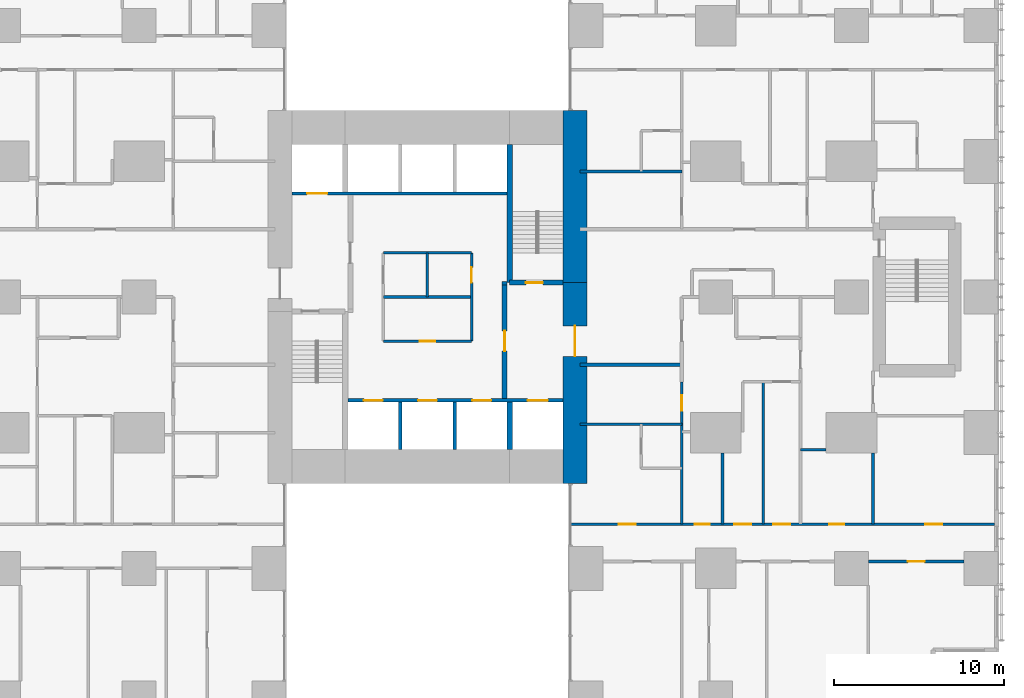
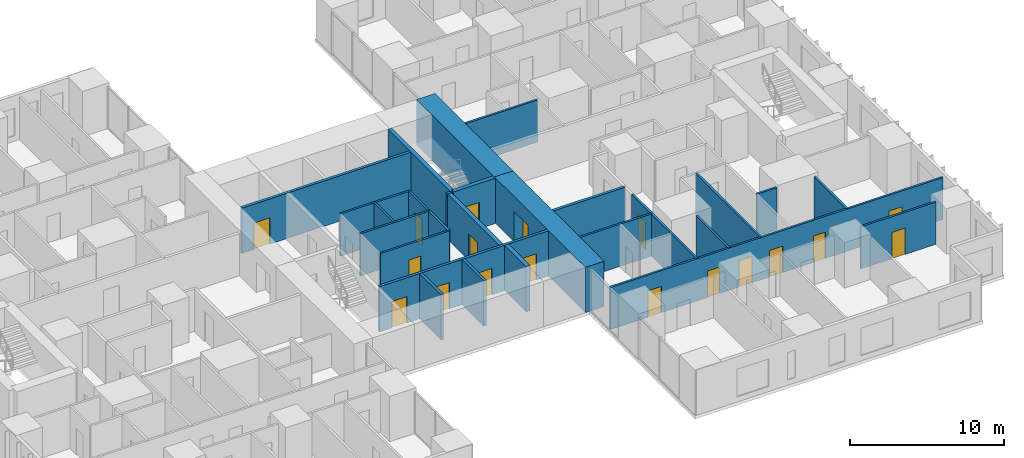
# One storey, part 15 of 20: 26 walls, 18 doors, 18 openings.
"""IFC4 building model written with IfcOpenShell, lengths in metres."""

import ifcopenshell
import ifcopenshell.guid

model = None  # the IFC model being written
_history = None  # IfcOwnerHistory: only IFC2X3 demands one
_inside = {}  # id of a spatial element -> (the spatial element, [elements in it])
_under = {}  # id of a project, library or spatial element -> (it, [spatial elements below it])
_declared = {}  # id of a project -> (the project, [libraries it declares])
_typed = {}  # id of a type object -> (the type object, [elements of that type])
_made_of = {}  # id of a material, layer set ... -> (it, [elements and type objects made of it])


def new_model(schema):
    """Start an empty IFC model of exactly this schema.

    Asked for "IFC4X3", IfcOpenShell would pick the latest addendum, in which some entities
    have other attributes; the version numbers below select the first issue.
    IFC2X3 requires an IfcOwnerHistory on every rooted entity: one is made here for all.
    """
    global model, _history
    if schema == "IFC4X3":
        model = ifcopenshell.file(schema_version=(4, 3, 0, 0))
    else:
        model = ifcopenshell.file(schema=schema)
    _inside.clear()
    _under.clear()
    _declared.clear()
    _typed.clear()
    _made_of.clear()
    _history = None
    if model.schema == "IFC2X3":
        org = make("IfcOrganization", Name="unknown")
        user = make(
            "IfcPersonAndOrganization",
            ThePerson=make("IfcPerson", FamilyName="unknown"),
            TheOrganization=org,
        )
        app = make(
            "IfcApplication",
            ApplicationDeveloper=org,
            Version="unknown",
            ApplicationFullName="unknown",
            ApplicationIdentifier="unknown",
        )
        _history = make(
            "IfcOwnerHistory",
            OwningUser=user,
            OwningApplication=app,
            ChangeAction="ADDED",
            CreationDate=0,
        )
    return model


def make(cls, **values):
    """One entity of the class cls with the attributes given. An attribute that is None is left unset."""
    return model.create_entity(
        cls, **{name: value for name, value in values.items() if value is not None}
    )


def rooted(cls, **values):
    """An entity with a GlobalId (a new one), such as an element, a storey or a relation."""
    return make(cls, GlobalId=ifcopenshell.guid.new(), OwnerHistory=_history, **values)


def si_unit(unit_type, name, prefix=None):
    """IfcSIUnit, for example si_unit("LENGTHUNIT", "METRE", prefix="MILLI")."""
    return make("IfcSIUnit", UnitType=unit_type, Prefix=prefix, Name=name)


def assignment(units):
    """IfcUnitAssignment: the units of a project."""
    return None if units is None else make("IfcUnitAssignment", Units=units)


def point(xyz):
    """IfcCartesianPoint."""
    return None if xyz is None else make("IfcCartesianPoint", Coordinates=xyz)


def direction(xyz):
    """IfcDirection."""
    return None if xyz is None else make("IfcDirection", DirectionRatios=xyz)


def frame(location, z_axis=None, x_axis=None):
    """IfcAxis2Placement3D, a coordinate frame: its origin and axes. An axis left out is left unset."""
    return make(
        "IfcAxis2Placement3D",
        Location=point(location),
        Axis=direction(z_axis),
        RefDirection=direction(x_axis),
    )


def frame_2d(location, x_axis=None):
    """IfcAxis2Placement2D, a coordinate frame in the plane: its origin and x axis."""
    return make(
        "IfcAxis2Placement2D", Location=point(location), RefDirection=direction(x_axis)
    )


def origin():
    """The frame at (0, 0, 0) with its axes left unset."""
    return frame((0.0, 0.0, 0.0))


def place(relative_to, where):
    """IfcLocalPlacement: puts the frame where relative to a parent placement (None: the world)."""
    return make(
        "IfcLocalPlacement", PlacementRelTo=relative_to, RelativePlacement=where
    )


def context(
    kind, dimensions, precision=None, world=None, true_north=None, identifier=None
):
    """IfcGeometricRepresentationContext, for example the 3D "Model" context."""
    return make(
        "IfcGeometricRepresentationContext",
        ContextIdentifier=identifier,
        ContextType=kind,
        CoordinateSpaceDimension=dimensions,
        Precision=precision,
        WorldCoordinateSystem=world,
        TrueNorth=true_north,
    )


def subcontext(parent, identifier, kind, view, scale=None):
    """IfcGeometricRepresentationSubContext, for example "Body" below "Model"."""
    return make(
        "IfcGeometricRepresentationSubContext",
        ContextIdentifier=identifier,
        ContextType=kind,
        ParentContext=parent,
        TargetScale=scale,
        TargetView=view,
    )


def project(units=None, contexts=None):
    """IfcProject with its units and contexts."""
    return rooted(
        "IfcProject",
        Name="project",
        RepresentationContexts=contexts,
        UnitsInContext=assignment(units),
    )


def spatial(cls, under=None, at=None, **own):
    """A site, building, storey or space (cls), placed at a placement, below another one or the project."""
    s = rooted(cls, ObjectPlacement=at, **own)
    if under is not None:
        _under.setdefault(under.id(), (under, []))[1].append(s)
    return s


def profile(cls, at=None, kind="AREA", **sizes):
    """A parametric profile (cls). Its sizes go by their IFC names, for example OverallWidth=200.0."""
    return make(cls, ProfileType=kind, Position=at, **sizes)


def rectangle(**sizes):
    """IfcRectangleProfileDef."""
    return profile("IfcRectangleProfileDef", **sizes)


def extrude(swept, where, along, depth):
    """IfcExtrudedAreaSolid: the profile swept, set in the frame where, extruded along a direction by depth."""
    return make(
        "IfcExtrudedAreaSolid",
        SweptArea=swept,
        Position=where,
        ExtrudedDirection=direction(along),
        Depth=depth,
    )


def shape(context_of_items, identifier, shape_type, items):
    """IfcShapeRepresentation: the items that make up one representation, for example the "Body"."""
    return make(
        "IfcShapeRepresentation",
        ContextOfItems=context_of_items,
        RepresentationIdentifier=identifier,
        RepresentationType=shape_type,
        Items=items,
    )


def material(Name=None, Category=None):
    """IfcMaterial."""
    return make("IfcMaterial", Name=Name, Category=Category)


def layer(
    of_material, thickness, ventilated=None, Name=None, Category=None, Priority=None
):
    """IfcMaterialLayer: one layer of a wall or slab, of a material (None: an air gap)."""
    return make(
        "IfcMaterialLayer",
        Material=of_material,
        LayerThickness=thickness,
        IsVentilated=ventilated,
        Name=Name,
        Category=Category,
        Priority=Priority,
    )


def layer_set(layers, Name=None):
    """IfcMaterialLayerSet."""
    return make("IfcMaterialLayerSet", MaterialLayers=layers, LayerSetName=Name)


def made_of(thing, what):
    """Note that an element or type object is made of a material, layer set ...; save() writes the relation."""
    if what is not None:
        _made_of.setdefault(what.id(), (what, []))[1].append(thing)
    return thing


def type_object(cls, material=None, **own):
    """A type object (cls), such as IfcWallType, which elements share."""
    return made_of(rooted(cls, **own), material)


def element(
    cls,
    number,
    at=None,
    inside=None,
    cuts=None,
    type_object=None,
    material=None,
    context=None,
    identifier="Body",
    shape_type=None,
    held_by="IfcProductDefinitionShape",
    body=None,
    shapes=None,
    **own,
):
    """One element of the class cls, such as IfcWall. Its Tag is "e" and its number.

    at: its placement. inside: the storey or other place that contains it. cuts: it is an
    opening in that element (IfcRelVoidsElement). A single representation is given by context,
    identifier, shape_type and body (its items); several are given by shapes. held_by: the class
    of the entity that holds the representations. save() writes the other relations.
    """
    e = rooted(cls, Tag="e%d" % number, ObjectPlacement=at, **own)
    if body is not None:
        shapes = [shape(context, identifier, shape_type, body)]
    if shapes is not None:
        e.Representation = make(held_by, Representations=shapes)
    if inside is not None:
        _inside.setdefault(inside.id(), (inside, []))[1].append(e)
    if cuts is not None:
        rooted(
            "IfcRelVoidsElement", RelatingBuildingElement=cuts, RelatedOpeningElement=e
        )
    if type_object is not None:
        _typed.setdefault(type_object.id(), (type_object, []))[1].append(e)
    return made_of(e, material)


def fill(opening, filler):
    """IfcRelFillsElement: the door or window that sits in an opening."""
    return rooted(
        "IfcRelFillsElement",
        RelatingOpeningElement=opening,
        RelatedBuildingElement=filler,
    )


def aggregate(whole, parts):
    """IfcRelAggregates: a whole, such as a stair, and the parts it consists of."""
    return rooted("IfcRelAggregates", RelatingObject=whole, RelatedObjects=parts)


def save(model, path):
    """Write the relations noted so far, then the file.

    IfcRelAggregates (storeys below a building ...), IfcRelContainedInSpatialStructure (elements
    in a storey), IfcRelDefinesByType, IfcRelAssociatesMaterial and IfcRelDeclares: one each for
    every whole, place, type object, material and project.
    """
    for whole, parts in _under.values():
        aggregate(whole, parts)
    for where, things in _inside.values():
        rooted(
            "IfcRelContainedInSpatialStructure",
            RelatedElements=things,
            RelatingStructure=where,
        )
    for kind, things in _typed.values():
        rooted("IfcRelDefinesByType", RelatedObjects=things, RelatingType=kind)
    for what, things in _made_of.values():
        rooted("IfcRelAssociatesMaterial", RelatedObjects=things, RelatingMaterial=what)
    for by, libraries in _declared.values():
        rooted("IfcRelDeclares", RelatingContext=by, RelatedDefinitions=libraries)
    model.write(path)


model = new_model("IFC4")

# Units and contexts
model_context = context("Model", 3, precision=1e-05, world=origin(), true_north=direction((0.0, 1.0)))
body_context = subcontext(model_context, "Body", "Model", "MODEL_VIEW")
ifc_project = project(units=[si_unit("LENGTHUNIT", "METRE"), si_unit("AREAUNIT", "SQUARE_METRE"), si_unit("VOLUMEUNIT", "CUBIC_METRE"), si_unit("PLANEANGLEUNIT", "RADIAN"), si_unit("MASSUNIT", "GRAM", prefix="KILO")], contexts=[model_context])

# Site, building, storey
site_placement = place(None, origin())
site = spatial("IfcSite", under=ifc_project, at=site_placement, CompositionType="ELEMENT")
building_placement = place(site_placement, origin())
building = spatial("IfcBuilding", under=site, at=building_placement, Name="Cleftline Residences", CompositionType="ELEMENT")
storey_placement = place(building_placement, frame((0.0, 0.0, 135.800048828125)))
storey = spatial("IfcBuildingStorey", under=building, at=storey_placement, Name="L35", CompositionType="ELEMENT", Elevation=135.800048828125)

# Wall, opening, door
ifc_material_1 = material(Name="Concrete B70", Category="concrete")
ifc_layer_1 = layer(ifc_material_1, 1.39990234375)
ifc_layer_set_1 = layer_set([ifc_layer_1], Name="CORE WALL 1400")
wall_type_1 = type_object("IfcWallType", Name="CORE WALL 1400", PredefinedType="SHEAR", material=ifc_layer_set_1)
wall_1_placement = place(storey_placement, frame((41.699951171875, 13.0, 0.0), z_axis=(0.0, 0.0, 1.0), x_axis=(0.0, 1.0, 0.0)))
wall_1 = element("IfcWall", 1, at=wall_1_placement, inside=storey, type_object=wall_type_1, Name="Core wall E", PredefinedType="SHEAR", context=body_context, shape_type="SweptSolid", body=[
    extrude(rectangle(XDim=11.85009765625, YDim=1.39990234375, at=frame_2d((5.925048828125, 0.0))), origin(), (0.0, 0.0, 1.0), 3.599853515625),
])
opening_1_placement = place(wall_1_placement, frame((7.5, 0.0, 0.0)))
opening_1 = element("IfcOpeningElement", 2, at=opening_1_placement, cuts=wall_1, Name="Opening D7", PredefinedType="OPENING", context=body_context, shape_type="SweptSolid", body=[
    extrude(rectangle(XDim=1.800048828125, YDim=2.39990234375, at=frame_2d((0.89990234375, 1.199951171875))), frame((0.0, 0.7099609375, 0.0), z_axis=(0.0, -1.0, 0.0), x_axis=(1.0, 0.0, 0.0)), (0.0, 0.0, 1.0), 1.419921875),
])
ifc_material_2 = material(Name="Steel", Category="steel")
door_type_1 = type_object("IfcDoorType", Name="WING DOOR 1800X2400", OperationType="DOUBLE_DOOR_DOUBLE_SWING", PredefinedType="DOOR", material=ifc_material_2)
door_1_placement = place(opening_1_placement, origin())
door_1 = element("IfcDoor", 3, at=door_1_placement, inside=storey, type_object=door_type_1, Name="East wing door", OperationType="DOUBLE_DOOR_DOUBLE_SWING", OverallHeight=2.39990234375, OverallWidth=1.800048828125, PredefinedType="DOOR", context=body_context, shape_type="SweptSolid", body=[
    extrude(rectangle(XDim=1.800048828125, YDim=2.39990234375, at=frame_2d((0.89990234375, 1.199951171875))), frame((0.0, 0.02490234375, 0.0), z_axis=(0.0, -1.0, 0.0), x_axis=(1.0, 0.0, 0.0)), (0.0, 0.0, 1.0), 0.050048828125),
])
fill(opening_1, door_1)

# Walls
wall_2_placement = place(storey_placement, frame((41.699951171875, 24.85009765625, 0.0), z_axis=(0.0, 0.0, 1.0), x_axis=(0.0, 1.0, 0.0)))
element("IfcWall", 4, at=wall_2_placement, inside=storey, type_object=wall_type_1, Name="Core wall E1", PredefinedType="SHEAR", context=body_context, shape_type="SweptSolid", body=[
    extrude(rectangle(XDim=10.14990234375, YDim=1.39990234375, at=frame_2d((5.074951171875, 0.0))), origin(), (0.0, 0.0, 1.0), 3.599853515625),
])
ifc_material_3 = material(Name="Concrete B70", Category="concrete")
ifc_layer_2 = layer(ifc_material_3, 0.300048828125)
ifc_layer_set_2 = layer_set([ifc_layer_2], Name="CORE WALL 300")
wall_type_2 = type_object("IfcWallType", Name="CORE WALL 300", PredefinedType="SHEAR", material=ifc_layer_set_2)
wall_3_placement = place(storey_placement, frame((37.85009765625, 24.85009765625, 0.0), z_axis=(0.0, 0.0, 1.0), x_axis=(0.0, 1.0, 0.0)))
element("IfcWall", 5, at=wall_3_placement, inside=storey, type_object=wall_type_2, Name="Core wall SB-W", PredefinedType="SHEAR", context=body_context, shape_type="SweptSolid", body=[
    extrude(rectangle(XDim=8.14990234375, YDim=0.300048828125, at=frame_2d((4.074951171875, 0.0))), origin(), (0.0, 0.0, 1.0), 3.599853515625),
])

# Wall, opening, door
wall_4_placement = place(storey_placement, frame((37.85009765625, 24.85009765625, 0.0), z_axis=(0.0, 0.0, 1.0), x_axis=(1.0, 0.0, 0.0)))
wall_4 = element("IfcWall", 6, at=wall_4_placement, inside=storey, type_object=wall_type_2, Name="Core wall SB-S", PredefinedType="SHEAR", context=body_context, shape_type="SweptSolid", body=[
    extrude(rectangle(XDim=3.14990234375, YDim=0.300048828125, at=frame_2d((1.574951171875, 0.0))), origin(), (0.0, 0.0, 1.0), 3.599853515625),
])
opening_2_placement = place(wall_4_placement, frame((0.949951171875, 0.0, 0.0)))
opening_2 = element("IfcOpeningElement", 7, at=opening_2_placement, cuts=wall_4, Name="Opening D5", PredefinedType="OPENING", context=body_context, shape_type="SweptSolid", body=[
    extrude(rectangle(XDim=1.0, YDim=2.10009765625, at=frame_2d((0.5, 1.050048828125))), frame((0.0, 0.159912109375, 0.0), z_axis=(0.0, -1.0, 0.0), x_axis=(1.0, 0.0, 0.0)), (0.0, 0.0, 1.0), 0.320068359375),
])
ifc_material_4 = material(Name="Steel", Category="steel")
door_type_2 = type_object("IfcDoorType", Name="STAIR DOOR 1000X2100", OperationType="SINGLE_SWING_LEFT", PredefinedType="DOOR", material=ifc_material_4)
door_2_placement = place(opening_2_placement, origin())
door_2 = element("IfcDoor", 8, at=door_2_placement, inside=storey, type_object=door_type_2, Name="Stair B door", OperationType="SINGLE_SWING_RIGHT", OverallHeight=2.10009765625, OverallWidth=1.0, PredefinedType="DOOR", context=body_context, shape_type="SweptSolid", body=[
    extrude(rectangle(XDim=1.0, YDim=2.10009765625, at=frame_2d((0.5, 1.050048828125))), frame((0.0, 0.02490234375, 0.0), z_axis=(0.0, -1.0, 0.0), x_axis=(1.0, 0.0, 0.0)), (0.0, 0.0, 1.0), 0.050048828125),
])
fill(opening_2, door_2)

# Walls
wall_5_placement = place(storey_placement, frame((37.85009765625, 15.0, 0.0), z_axis=(0.0, 0.0, 1.0), x_axis=(0.0, 1.0, 0.0)))
element("IfcWall", 9, at=wall_5_placement, inside=storey, type_object=wall_type_2, Name="Lift shaft wall", PredefinedType="SHEAR", context=body_context, shape_type="SweptSolid", body=[
    extrude(rectangle(XDim=2.800048828125, YDim=0.300048828125, at=frame_2d((1.39990234375, 0.0))), origin(), (0.0, 0.0, 1.0), 3.599853515625),
])
ifc_material_5 = material(Name="Concrete blockwork, fire rated", Category="masonry")
ifc_layer_3 = layer(ifc_material_5, 0.199951171875)
ifc_layer_set_3 = layer_set([ifc_layer_3], Name="FIRE WALL 200")
wall_type_3 = type_object("IfcWallType", Name="FIRE WALL 200", PredefinedType="PARTITIONING", material=ifc_layer_set_3)
wall_6_placement = place(storey_placement, frame((42.0, 20.0, 0.0), z_axis=(0.0, 0.0, 1.0), x_axis=(1.0, 0.0, 0.0)))
element("IfcWall", 10, at=wall_6_placement, inside=storey, type_object=wall_type_3, Name="Fire separating wall", PredefinedType="PARTITIONING", context=body_context, shape_type="SweptSolid", body=[
    extrude(rectangle(XDim=6.0, YDim=0.199951171875, at=frame_2d((3.0, 0.0))), origin(), (0.0, 0.0, 1.0), 3.349853515625),
])
wall_7_placement = place(storey_placement, frame((37.39990234375, 24.800048828125, 0.0), z_axis=(0.0, 0.0, 1.0), x_axis=(1.0, 0.0, 0.0)))
element("IfcWall", 11, at=wall_7_placement, inside=storey, type_object=wall_type_3, Name="Fire separating wall", PredefinedType="PARTITIONING", context=body_context, shape_type="SweptSolid", body=[
    extrude(rectangle(XDim=0.300048828125, YDim=0.199951171875, at=frame_2d((0.14990234375, 0.0))), origin(), (0.0, 0.0, 1.0), 3.599853515625),
])

# Wall, opening, door
ifc_material_6 = material(Name="Gypsum board on steel studs", Category="steel")
ifc_layer_4 = layer(ifc_material_6, 0.14990234375)
ifc_layer_set_4 = layer_set([ifc_layer_4], Name="PARTITION 150")
wall_type_4 = type_object("IfcWallType", Name="PARTITION 150", PredefinedType="PARTITIONING", material=ifc_layer_set_4)
wall_8_placement = place(storey_placement, frame((59.0, 8.39990234375, 0.0), z_axis=(0.0, 0.0, 1.0), x_axis=(1.0, 0.0, 0.0)))
wall_8 = element("IfcWall", 12, at=wall_8_placement, inside=storey, type_object=wall_type_4, Name="Partition", PredefinedType="PARTITIONING", context=body_context, shape_type="SweptSolid", body=[
    extrude(rectangle(XDim=5.64990234375, YDim=0.14990234375, at=frame_2d((2.824951171875, 0.0))), origin(), (0.0, 0.0, 1.0), 3.349853515625),
])
opening_3_placement = place(wall_8_placement, frame((2.324951171875, 0.0, 0.0)))
opening_3 = element("IfcOpeningElement", 13, at=opening_3_placement, cuts=wall_8, Name="Opening D2", PredefinedType="OPENING", context=body_context, shape_type="SweptSolid", body=[
    extrude(rectangle(XDim=1.0, YDim=2.10009765625, at=frame_2d((0.5, 1.050048828125))), frame((0.0, 0.0849609375, 0.0), z_axis=(0.0, -1.0, 0.0), x_axis=(1.0, 0.0, 0.0)), (0.0, 0.0, 1.0), 0.169921875),
])
ifc_material_7 = material(Name="Timber veneer on solid core", Category="wood")
door_type_3 = type_object("IfcDoorType", Name="DOOR 1000X2100", OperationType="SINGLE_SWING_LEFT", PredefinedType="DOOR", material=ifc_material_7)
door_3_placement = place(opening_3_placement, origin())
door_3 = element("IfcDoor", 14, at=door_3_placement, inside=storey, type_object=door_type_3, Name="Door to music room", OperationType="SINGLE_SWING_LEFT", OverallHeight=2.10009765625, OverallWidth=1.0, PredefinedType="DOOR", context=body_context, shape_type="SweptSolid", body=[
    extrude(rectangle(XDim=1.0, YDim=2.10009765625, at=frame_2d((0.5, 1.050048828125))), frame((0.0, 0.02490234375, 0.0), z_axis=(0.0, -1.0, 0.0), x_axis=(1.0, 0.0, 0.0)), (0.0, 0.0, 1.0), 0.050048828125),
])
fill(opening_3, door_3)

# Wall, openings, doors
wall_9_placement = place(storey_placement, frame((41.43896484375, 10.60009765625, 0.0), z_axis=(0.0, 0.0, 1.0), x_axis=(1.0, 0.0, 0.0)))
wall_9 = element("IfcWall", 15, at=wall_9_placement, inside=storey, type_object=wall_type_4, Name="Partition", PredefinedType="PARTITIONING", context=body_context, shape_type="SweptSolid", body=[
    extrude(rectangle(XDim=25.010986328125, YDim=0.14990234375, at=frame_2d((12.50537109375, 0.0))), origin(), (0.0, 0.0, 1.0), 3.349853515625),
])
opening_4_placement = place(wall_9_placement, frame((11.9609375, 0.0, 0.0)))
opening_4 = element("IfcOpeningElement", 16, at=opening_4_placement, cuts=wall_9, Name="Opening D2", PredefinedType="OPENING", context=body_context, shape_type="SweptSolid", body=[
    extrude(rectangle(XDim=1.0, YDim=2.10009765625, at=frame_2d((0.5, 1.050048828125))), frame((0.0, 0.0849609375, 0.0), z_axis=(0.0, -1.0, 0.0), x_axis=(1.0, 0.0, 0.0)), (0.0, 0.0, 1.0), 0.169921875),
])
opening_5_placement = place(wall_9_placement, frame((20.923583984375, 0.0, 0.0)))
opening_5 = element("IfcOpeningElement", 17, at=opening_5_placement, cuts=wall_9, Name="Opening D2", PredefinedType="OPENING", context=body_context, shape_type="SweptSolid", body=[
    extrude(rectangle(XDim=1.0, YDim=2.10009765625, at=frame_2d((0.5, 1.050048828125))), frame((0.0, 0.0849609375, 0.0), z_axis=(0.0, -1.0, 0.0), x_axis=(1.0, 0.0, 0.0)), (0.0, 0.0, 1.0), 0.169921875),
])
opening_6_placement = place(wall_9_placement, frame((15.24853515625, 0.0, 0.0)))
opening_6 = element("IfcOpeningElement", 18, at=opening_6_placement, cuts=wall_9, Name="Opening D1", PredefinedType="OPENING", context=body_context, shape_type="SweptSolid", body=[
    extrude(rectangle(XDim=0.89990234375, YDim=2.10009765625, at=frame_2d((0.449951171875, 1.050048828125))), frame((0.0, 0.0849609375, 0.0), z_axis=(0.0, -1.0, 0.0), x_axis=(1.0, 0.0, 0.0)), (0.0, 0.0, 1.0), 0.169921875),
])
opening_7_placement = place(wall_9_placement, frame((9.660888671875, 0.0, 0.0)))
opening_7 = element("IfcOpeningElement", 19, at=opening_7_placement, cuts=wall_9, Name="Opening D2", PredefinedType="OPENING", context=body_context, shape_type="SweptSolid", body=[
    extrude(rectangle(XDim=1.0, YDim=2.10009765625, at=frame_2d((0.5, 1.050048828125))), frame((0.0, 0.0849609375, 0.0), z_axis=(0.0, -1.0, 0.0), x_axis=(1.0, 0.0, 0.0)), (0.0, 0.0, 1.0), 0.169921875),
])
opening_8_placement = place(wall_9_placement, frame((7.31103515625, 0.0, 0.0)))
opening_8 = element("IfcOpeningElement", 20, at=opening_8_placement, cuts=wall_9, Name="Opening D1", PredefinedType="OPENING", context=body_context, shape_type="SweptSolid", body=[
    extrude(rectangle(XDim=0.89990234375, YDim=2.10009765625, at=frame_2d((0.449951171875, 1.050048828125))), frame((0.0, 0.0849609375, 0.0), z_axis=(0.0, -1.0, 0.0), x_axis=(1.0, 0.0, 0.0)), (0.0, 0.0, 1.0), 0.169921875),
])
opening_9_placement = place(wall_9_placement, frame((2.8359375, 0.0, 0.0)))
opening_9 = element("IfcOpeningElement", 21, at=opening_9_placement, cuts=wall_9, Name="Opening D2", PredefinedType="OPENING", context=body_context, shape_type="SweptSolid", body=[
    extrude(rectangle(XDim=1.0, YDim=2.10009765625, at=frame_2d((0.5, 1.050048828125))), frame((0.0, 0.0849609375, 0.0), z_axis=(0.0, -1.0, 0.0), x_axis=(1.0, 0.0, 0.0)), (0.0, 0.0, 1.0), 0.169921875),
])
door_4_placement = place(opening_4_placement, origin())
door_4 = element("IfcDoor", 22, at=door_4_placement, inside=storey, type_object=door_type_3, Name="Door to residence hall", OperationType="SINGLE_SWING_RIGHT", OverallHeight=2.10009765625, OverallWidth=1.0, PredefinedType="DOOR", context=body_context, shape_type="SweptSolid", body=[
    extrude(rectangle(XDim=1.0, YDim=2.10009765625, at=frame_2d((0.5, 1.050048828125))), frame((0.0, 0.02490234375, 0.0), z_axis=(0.0, -1.0, 0.0), x_axis=(1.0, 0.0, 0.0)), (0.0, 0.0, 1.0), 0.050048828125),
])
fill(opening_4, door_4)
door_5_placement = place(opening_5_placement, origin())
door_5 = element("IfcDoor", 23, at=door_5_placement, inside=storey, type_object=door_type_3, Name="Door to sea-view great room", OperationType="SINGLE_SWING_LEFT", OverallHeight=2.10009765625, OverallWidth=1.0, PredefinedType="DOOR", context=body_context, shape_type="SweptSolid", body=[
    extrude(rectangle(XDim=1.0, YDim=2.10009765625, at=frame_2d((0.5, 1.050048828125))), frame((0.0, 0.02490234375, 0.0), z_axis=(0.0, -1.0, 0.0), x_axis=(1.0, 0.0, 0.0)), (0.0, 0.0, 1.0), 0.050048828125),
])
fill(opening_5, door_5)
door_6_placement = place(opening_7_placement, origin())
door_6 = element("IfcDoor", 24, at=door_6_placement, inside=storey, type_object=door_type_3, Name="Door to wet kitchen", OperationType="SINGLE_SWING_RIGHT", OverallHeight=2.10009765625, OverallWidth=1.0, PredefinedType="DOOR", context=body_context, shape_type="SweptSolid", body=[
    extrude(rectangle(XDim=1.0, YDim=2.10009765625, at=frame_2d((0.5, 1.050048828125))), frame((0.0, 0.02490234375, 0.0), z_axis=(0.0, -1.0, 0.0), x_axis=(1.0, 0.0, 0.0)), (0.0, 0.0, 1.0), 0.050048828125),
])
fill(opening_7, door_6)
door_7_placement = place(opening_9_placement, origin())
door_7 = element("IfcDoor", 25, at=door_7_placement, inside=storey, type_object=door_type_3, Name="Door to staff bedroom", OperationType="SINGLE_SWING_RIGHT", OverallHeight=2.10009765625, OverallWidth=1.0, PredefinedType="DOOR", context=body_context, shape_type="SweptSolid", body=[
    extrude(rectangle(XDim=1.0, YDim=2.10009765625, at=frame_2d((0.5, 1.050048828125))), frame((0.0, 0.02490234375, 0.0), z_axis=(0.0, -1.0, 0.0), x_axis=(1.0, 0.0, 0.0)), (0.0, 0.0, 1.0), 0.050048828125),
])
fill(opening_9, door_7)
ifc_material_8 = material(Name="Timber veneer on solid core", Category="wood")
door_type_4 = type_object("IfcDoorType", Name="DOOR 900X2100", OperationType="SINGLE_SWING_LEFT", PredefinedType="DOOR", material=ifc_material_8)
door_8_placement = place(opening_6_placement, origin())
door_8 = element("IfcDoor", 26, at=door_8_placement, inside=storey, type_object=door_type_4, Name="Door to wine room", OperationType="SINGLE_SWING_LEFT", OverallHeight=2.10009765625, OverallWidth=0.89990234375, PredefinedType="DOOR", context=body_context, shape_type="SweptSolid", body=[
    extrude(rectangle(XDim=0.89990234375, YDim=2.10009765625, at=frame_2d((0.449951171875, 1.050048828125))), frame((0.0, 0.02490234375, 0.0), z_axis=(0.0, -1.0, 0.0), x_axis=(1.0, 0.0, 0.0)), (0.0, 0.0, 1.0), 0.050048828125),
])
fill(opening_6, door_8)
door_9_placement = place(opening_8_placement, origin())
door_9 = element("IfcDoor", 27, at=door_9_placement, inside=storey, type_object=door_type_4, Name="Door to pantry", OperationType="SINGLE_SWING_RIGHT", OverallHeight=2.10009765625, OverallWidth=0.89990234375, PredefinedType="DOOR", context=body_context, shape_type="SweptSolid", body=[
    extrude(rectangle(XDim=0.89990234375, YDim=2.10009765625, at=frame_2d((0.449951171875, 1.050048828125))), frame((0.0, 0.02490234375, 0.0), z_axis=(0.0, -1.0, 0.0), x_axis=(1.0, 0.0, 0.0)), (0.0, 0.0, 1.0), 0.050048828125),
])
fill(opening_8, door_9)

# Walls
wall_10_placement = place(storey_placement, frame((55.0, 15.0, 0.0), z_axis=(0.0, 0.0, 1.0), x_axis=(1.0, 0.0, 0.0)))
element("IfcWall", 28, at=wall_10_placement, inside=storey, type_object=wall_type_4, Name="Partition", PredefinedType="PARTITIONING", context=body_context, shape_type="SweptSolid", body=[
    extrude(rectangle(XDim=1.5, YDim=0.14990234375, at=frame_2d((0.75, 0.0))), origin(), (0.0, 0.0, 1.0), 3.349853515625),
])
for number, where, z_axis, x_axis, name in (
    (29, (42.0, 16.5, 0.0), (0.0, 0.0, 1.0), (1.0, 0.0, 0.0), "Partition"),
    (30, (42.0, 31.39990234375, 0.0), (0.0, 0.0, 1.0), (1.0, 0.0, 0.0), "Partition"),
):
    element("IfcWall", number, at=place(storey_placement, frame(where, z_axis=z_axis, x_axis=x_axis)), inside=storey, type_object=wall_type_4, Name=name, PredefinedType="PARTITIONING", context=body_context, shape_type="SweptSolid", body=[
        extrude(rectangle(XDim=6.0, YDim=0.14990234375, at=frame_2d((3.0, 0.0))), origin(), (0.0, 0.0, 1.0), 3.349853515625),
    ])

# Wall, opening, door
wall_11_placement = place(storey_placement, frame((48.0, 10.60009765625, 0.0), z_axis=(0.0, 0.0, 1.0), x_axis=(0.0, 1.0, 0.0)))
wall_11 = element("IfcWall", 31, at=wall_11_placement, inside=storey, type_object=wall_type_4, Name="Partition", PredefinedType="PARTITIONING", context=body_context, shape_type="SweptSolid", body=[
    extrude(rectangle(XDim=8.39990234375, YDim=0.14990234375, at=frame_2d((4.199951171875, 0.0))), origin(), (0.0, 0.0, 1.0), 3.349853515625),
])
opening_10_placement = place(wall_11_placement, frame((6.699951171875, 0.0, 0.0)))
opening_10 = element("IfcOpeningElement", 32, at=opening_10_placement, cuts=wall_11, Name="Opening D1", PredefinedType="OPENING", context=body_context, shape_type="SweptSolid", body=[
    extrude(rectangle(XDim=0.89990234375, YDim=2.10009765625, at=frame_2d((0.449951171875, 1.050048828125))), frame((0.0, 0.0849609375, 0.0), z_axis=(0.0, -1.0, 0.0), x_axis=(1.0, 0.0, 0.0)), (0.0, 0.0, 1.0), 0.169921875),
])
door_10_placement = place(opening_10_placement, origin())
door_10 = element("IfcDoor", 33, at=door_10_placement, inside=storey, type_object=door_type_4, Name="Door to drying loggia", OperationType="SINGLE_SWING_LEFT", OverallHeight=2.10009765625, OverallWidth=0.89990234375, PredefinedType="DOOR", context=body_context, shape_type="SweptSolid", body=[
    extrude(rectangle(XDim=0.89990234375, YDim=2.10009765625, at=frame_2d((0.449951171875, 1.050048828125))), frame((0.0, 0.02490234375, 0.0), z_axis=(0.0, -1.0, 0.0), x_axis=(1.0, 0.0, 0.0)), (0.0, 0.0, 1.0), 0.050048828125),
])
fill(opening_10, door_10)

# Walls
wall_12_placement = place(storey_placement, frame((50.39990234375, 10.60009765625, 0.0), z_axis=(0.0, 0.0, 1.0), x_axis=(0.0, 1.0, 0.0)))
element("IfcWall", 34, at=wall_12_placement, inside=storey, type_object=wall_type_4, Name="Partition", PredefinedType="PARTITIONING", context=body_context, shape_type="SweptSolid", body=[
    extrude(rectangle(XDim=4.199951171875, YDim=0.14990234375, at=frame_2d((2.10009765625, 0.0))), origin(), (0.0, 0.0, 1.0), 3.349853515625),
])
wall_13_placement = place(storey_placement, frame((52.800048828125, 10.60009765625, 0.0), z_axis=(0.0, 0.0, 1.0), x_axis=(0.0, 1.0, 0.0)))
element("IfcWall", 35, at=wall_13_placement, inside=storey, type_object=wall_type_4, Name="Partition", PredefinedType="PARTITIONING", context=body_context, shape_type="SweptSolid", body=[
    extrude(rectangle(XDim=8.39990234375, YDim=0.14990234375, at=frame_2d((4.199951171875, 0.0))), origin(), (0.0, 0.0, 1.0), 3.349853515625),
])
wall_14_placement = place(storey_placement, frame((59.27490234375, 10.60009765625, 0.0), z_axis=(0.0, 0.0, 1.0), x_axis=(0.0, 1.0, 0.0)))
element("IfcWall", 36, at=wall_14_placement, inside=storey, type_object=wall_type_4, Name="Partition", PredefinedType="PARTITIONING", context=body_context, shape_type="SweptSolid", body=[
    extrude(rectangle(XDim=4.199951171875, YDim=0.14990234375, at=frame_2d((2.10009765625, 0.0))), origin(), (0.0, 0.0, 1.0), 3.349853515625),
])

# Wall, opening, door
ifc_material_9 = material(Name="Fire-resisting gypsum board on steel studs", Category="steel")
ifc_layer_5 = layer(ifc_material_9, 0.14990234375)
ifc_layer_set_5 = layer_set([ifc_layer_5], Name="PARTITION 150 EI 60")
wall_type_5 = type_object("IfcWallType", Name="PARTITION 150 EI 60", PredefinedType="PARTITIONING", material=ifc_layer_set_5)
wall_15_placement = place(storey_placement, frame((30.39990234375, 21.39990234375, 0.0), z_axis=(0.0, 0.0, 1.0), x_axis=(1.0, 0.0, 0.0)))
wall_15 = element("IfcWall", 37, at=wall_15_placement, inside=storey, type_object=wall_type_5, Name="Core room partition", PredefinedType="PARTITIONING", context=body_context, shape_type="SweptSolid", body=[
    extrude(rectangle(XDim=5.2001953125, YDim=0.14990234375, at=frame_2d((2.60009765625, 0.0))), origin(), (0.0, 0.0, 1.0), 3.349853515625),
])
opening_11_placement = place(wall_15_placement, frame((2.14990234375, 0.0, 0.0)))
opening_11 = element("IfcOpeningElement", 38, at=opening_11_placement, cuts=wall_15, Name="Opening D1F30", PredefinedType="OPENING", context=body_context, shape_type="SweptSolid", body=[
    extrude(rectangle(XDim=0.89990234375, YDim=2.10009765625, at=frame_2d((0.449951171875, 1.050048828125))), frame((0.0, 0.0849609375, 0.0), z_axis=(0.0, -1.0, 0.0), x_axis=(1.0, 0.0, 0.0)), (0.0, 0.0, 1.0), 0.169921875),
])
ifc_material_10 = material(Name="Timber veneer on solid core", Category="wood")
door_type_5 = type_object("IfcDoorType", Name="DOOR 900X2100 EI 30", OperationType="SINGLE_SWING_LEFT", PredefinedType="DOOR", material=ifc_material_10)
door_11_placement = place(opening_11_placement, origin())
door_11 = element("IfcDoor", 39, at=door_11_placement, inside=storey, type_object=door_type_5, Name="Door to cleaner's store", OperationType="SINGLE_SWING_LEFT", OverallHeight=2.10009765625, OverallWidth=0.89990234375, PredefinedType="DOOR", context=body_context, shape_type="SweptSolid", body=[
    extrude(rectangle(XDim=0.89990234375, YDim=2.10009765625, at=frame_2d((0.449951171875, 1.050048828125))), frame((0.0, 0.02490234375, 0.0), z_axis=(0.0, -1.0, 0.0), x_axis=(1.0, 0.0, 0.0)), (0.0, 0.0, 1.0), 0.050048828125),
])
fill(opening_11, door_11)

# Wall
wall_16_placement = place(storey_placement, frame((30.39990234375, 26.60009765625, 0.0), z_axis=(0.0, 0.0, 1.0), x_axis=(1.0, 0.0, 0.0)))
element("IfcWall", 40, at=wall_16_placement, inside=storey, type_object=wall_type_5, Name="Core room partition", PredefinedType="PARTITIONING", context=body_context, shape_type="SweptSolid", body=[
    extrude(rectangle(XDim=5.2001953125, YDim=0.14990234375, at=frame_2d((2.60009765625, 0.0))), origin(), (0.0, 0.0, 1.0), 3.349853515625),
])

# Wall, opening, door
wall_17_placement = place(storey_placement, frame((35.60009765625, 21.39990234375, 0.0), z_axis=(0.0, 0.0, 1.0), x_axis=(0.0, 1.0, 0.0)))
wall_17 = element("IfcWall", 41, at=wall_17_placement, inside=storey, type_object=wall_type_5, Name="Core room partition", PredefinedType="PARTITIONING", context=body_context, shape_type="SweptSolid", body=[
    extrude(rectangle(XDim=5.2001953125, YDim=0.14990234375, at=frame_2d((2.60009765625, 0.0))), origin(), (0.0, 0.0, 1.0), 3.349853515625),
])
opening_12_placement = place(wall_17_placement, frame((3.449951171875, 0.0, 0.0)))
opening_12 = element("IfcOpeningElement", 42, at=opening_12_placement, cuts=wall_17, Name="Opening D1F30", PredefinedType="OPENING", context=body_context, shape_type="SweptSolid", body=[
    extrude(rectangle(XDim=0.89990234375, YDim=2.10009765625, at=frame_2d((0.449951171875, 1.050048828125))), frame((0.0, 0.0849609375, 0.0), z_axis=(0.0, -1.0, 0.0), x_axis=(1.0, 0.0, 0.0)), (0.0, 0.0, 1.0), 0.169921875),
])
door_12_placement = place(opening_12_placement, origin())
door_12 = element("IfcDoor", 43, at=door_12_placement, inside=storey, type_object=door_type_5, Name="Door to maintenance store", OperationType="SINGLE_SWING_LEFT", OverallHeight=2.10009765625, OverallWidth=0.89990234375, PredefinedType="DOOR", context=body_context, shape_type="SweptSolid", body=[
    extrude(rectangle(XDim=0.89990234375, YDim=2.10009765625, at=frame_2d((0.449951171875, 1.050048828125))), frame((0.0, 0.02490234375, 0.0), z_axis=(0.0, -1.0, 0.0), x_axis=(1.0, 0.0, 0.0)), (0.0, 0.0, 1.0), 0.050048828125),
])
fill(opening_12, door_12)

# Walls
wall_18_placement = place(storey_placement, frame((30.39990234375, 24.0, 0.0), z_axis=(0.0, 0.0, 1.0), x_axis=(1.0, 0.0, 0.0)))
element("IfcWall", 44, at=wall_18_placement, inside=storey, type_object=wall_type_5, Name="Core room partition", PredefinedType="PARTITIONING", context=body_context, shape_type="SweptSolid", body=[
    extrude(rectangle(XDim=5.2001953125, YDim=0.14990234375, at=frame_2d((2.60009765625, 0.0))), origin(), (0.0, 0.0, 1.0), 3.349853515625),
])
wall_19_placement = place(storey_placement, frame((33.0, 24.0, 0.0), z_axis=(0.0, 0.0, 1.0), x_axis=(0.0, 1.0, 0.0)))
element("IfcWall", 45, at=wall_19_placement, inside=storey, type_object=wall_type_5, Name="Core room partition", PredefinedType="PARTITIONING", context=body_context, shape_type="SweptSolid", body=[
    extrude(rectangle(XDim=2.60009765625, YDim=0.14990234375, at=frame_2d((1.300048828125, 0.0))), origin(), (0.0, 0.0, 1.0), 3.349853515625),
])

# Wall, openings, doors
ifc_material_11 = material(Name="Concrete blockwork, fire rated", Category="masonry")
ifc_layer_6 = layer(ifc_material_11, 0.199951171875)
ifc_layer_set_6 = layer_set([ifc_layer_6], Name="SHAFT WALL 200")
wall_type_6 = type_object("IfcWallType", Name="SHAFT WALL 200", PredefinedType="PARTITIONING", material=ifc_layer_set_6)
wall_20_placement = place(storey_placement, frame((28.300048828125, 17.89990234375, 0.0), z_axis=(0.0, 0.0, 1.0), x_axis=(1.0, 0.0, 0.0)))
wall_20 = element("IfcWall", 46, at=wall_20_placement, inside=storey, type_object=wall_type_6, Name="Lift shaft wall", PredefinedType="PARTITIONING", context=body_context, shape_type="SweptSolid", body=[
    extrude(rectangle(XDim=12.699951171875, YDim=0.199951171875, at=frame_2d((6.35009765625, 0.0))), origin(), (0.0, 0.0, 1.0), 3.599853515625),
])
opening_13_placement = place(wall_20_placement, frame((0.949951171875, 0.0, 0.0)))
opening_13 = element("IfcOpeningElement", 47, at=opening_13_placement, cuts=wall_20, Name="Opening LD1", PredefinedType="OPENING", context=body_context, shape_type="SweptSolid", body=[
    extrude(rectangle(XDim=1.10009765625, YDim=2.10009765625, at=frame_2d((0.550048828125, 1.050048828125))), frame((0.0, 0.10986328125, 0.0), z_axis=(0.0, -1.0, 0.0), x_axis=(1.0, 0.0, 0.0)), (0.0, 0.0, 1.0), 0.219970703125),
])
opening_14_placement = place(wall_20_placement, frame((4.14990234375, 0.0, 0.0)))
opening_14 = element("IfcOpeningElement", 48, at=opening_14_placement, cuts=wall_20, Name="Opening LD1", PredefinedType="OPENING", context=body_context, shape_type="SweptSolid", body=[
    extrude(rectangle(XDim=1.10009765625, YDim=2.10009765625, at=frame_2d((0.550048828125, 1.050048828125))), frame((0.0, 0.10986328125, 0.0), z_axis=(0.0, -1.0, 0.0), x_axis=(1.0, 0.0, 0.0)), (0.0, 0.0, 1.0), 0.219970703125),
])
opening_15_placement = place(wall_20_placement, frame((7.35009765625, 0.0, 0.0)))
opening_15 = element("IfcOpeningElement", 49, at=opening_15_placement, cuts=wall_20, Name="Opening LD1", PredefinedType="OPENING", context=body_context, shape_type="SweptSolid", body=[
    extrude(rectangle(XDim=1.10009765625, YDim=2.10009765625, at=frame_2d((0.550048828125, 1.050048828125))), frame((0.0, 0.10986328125, 0.0), z_axis=(0.0, -1.0, 0.0), x_axis=(1.0, 0.0, 0.0)), (0.0, 0.0, 1.0), 0.219970703125),
])
opening_16_placement = place(wall_20_placement, frame((10.60009765625, 0.0, 0.0)))
opening_16 = element("IfcOpeningElement", 50, at=opening_16_placement, cuts=wall_20, Name="Opening LD2", PredefinedType="OPENING", context=body_context, shape_type="SweptSolid", body=[
    extrude(rectangle(XDim=1.199951171875, YDim=2.10009765625, at=frame_2d((0.60009765625, 1.050048828125))), frame((0.0, 0.10986328125, 0.0), z_axis=(0.0, -1.0, 0.0), x_axis=(1.0, 0.0, 0.0)), (0.0, 0.0, 1.0), 0.219970703125),
])
ifc_material_12 = material(Name="Steel", Category="steel")
door_type_6 = type_object("IfcDoorType", Name="FIREFIGHTING LIFT LANDING DOOR 1200X2100", OperationType="SLIDING_TO_LEFT", PredefinedType="DOOR", material=ifc_material_12)
door_13_placement = place(opening_16_placement, origin())
door_13 = element("IfcDoor", 51, at=door_13_placement, inside=storey, type_object=door_type_6, Name="Lift FL2 landing door", OperationType="SLIDING_TO_LEFT", OverallHeight=2.10009765625, OverallWidth=1.199951171875, PredefinedType="DOOR", context=body_context, shape_type="SweptSolid", body=[
    extrude(rectangle(XDim=1.199951171875, YDim=2.10009765625, at=frame_2d((0.60009765625, 1.050048828125))), frame((0.0, 0.02490234375, 0.0), z_axis=(0.0, -1.0, 0.0), x_axis=(1.0, 0.0, 0.0)), (0.0, 0.0, 1.0), 0.050048828125),
])
fill(opening_16, door_13)
ifc_material_13 = material(Name="Steel", Category="steel")
door_type_7 = type_object("IfcDoorType", Name="LIFT LANDING DOOR 1100X2100", OperationType="SLIDING_TO_LEFT", PredefinedType="DOOR", material=ifc_material_13)
door_14_placement = place(opening_13_placement, origin())
door_14 = element("IfcDoor", 52, at=door_14_placement, inside=storey, type_object=door_type_7, Name="Lift P1 landing door", OperationType="SLIDING_TO_LEFT", OverallHeight=2.10009765625, OverallWidth=1.10009765625, PredefinedType="DOOR", context=body_context, shape_type="SweptSolid", body=[
    extrude(rectangle(XDim=1.10009765625, YDim=2.10009765625, at=frame_2d((0.550048828125, 1.050048828125))), frame((0.0, 0.02490234375, 0.0), z_axis=(0.0, -1.0, 0.0), x_axis=(1.0, 0.0, 0.0)), (0.0, 0.0, 1.0), 0.050048828125),
])
fill(opening_13, door_14)
door_15_placement = place(opening_14_placement, origin())
door_15 = element("IfcDoor", 53, at=door_15_placement, inside=storey, type_object=door_type_7, Name="Lift P2 landing door", OperationType="SLIDING_TO_LEFT", OverallHeight=2.10009765625, OverallWidth=1.10009765625, PredefinedType="DOOR", context=body_context, shape_type="SweptSolid", body=[
    extrude(rectangle(XDim=1.10009765625, YDim=2.10009765625, at=frame_2d((0.550048828125, 1.050048828125))), frame((0.0, 0.02490234375, 0.0), z_axis=(0.0, -1.0, 0.0), x_axis=(1.0, 0.0, 0.0)), (0.0, 0.0, 1.0), 0.050048828125),
])
fill(opening_14, door_15)
door_16_placement = place(opening_15_placement, origin())
door_16 = element("IfcDoor", 54, at=door_16_placement, inside=storey, type_object=door_type_7, Name="Lift P3 landing door", OperationType="SLIDING_TO_LEFT", OverallHeight=2.10009765625, OverallWidth=1.10009765625, PredefinedType="DOOR", context=body_context, shape_type="SweptSolid", body=[
    extrude(rectangle(XDim=1.10009765625, YDim=2.10009765625, at=frame_2d((0.550048828125, 1.050048828125))), frame((0.0, 0.02490234375, 0.0), z_axis=(0.0, -1.0, 0.0), x_axis=(1.0, 0.0, 0.0)), (0.0, 0.0, 1.0), 0.050048828125),
])
fill(opening_15, door_16)

# Wall, opening, door
wall_21_placement = place(storey_placement, frame((25.0, 30.10009765625, 0.0), z_axis=(0.0, 0.0, 1.0), x_axis=(1.0, 0.0, 0.0)))
wall_21 = element("IfcWall", 55, at=wall_21_placement, inside=storey, type_object=wall_type_6, Name="Lift shaft wall", PredefinedType="PARTITIONING", context=body_context, shape_type="SweptSolid", body=[
    extrude(rectangle(XDim=12.699951171875, YDim=0.199951171875, at=frame_2d((6.35009765625, 0.0))), origin(), (0.0, 0.0, 1.0), 3.599853515625),
])
opening_17_placement = place(wall_21_placement, frame((0.89990234375, 0.0, 0.0)))
opening_17 = element("IfcOpeningElement", 56, at=opening_17_placement, cuts=wall_21, Name="Opening LD2", PredefinedType="OPENING", context=body_context, shape_type="SweptSolid", body=[
    extrude(rectangle(XDim=1.199951171875, YDim=2.10009765625, at=frame_2d((0.60009765625, 1.050048828125))), frame((0.0, 0.10986328125, 0.0), z_axis=(0.0, -1.0, 0.0), x_axis=(1.0, 0.0, 0.0)), (0.0, 0.0, 1.0), 0.219970703125),
])
door_17_placement = place(opening_17_placement, origin())
door_17 = element("IfcDoor", 57, at=door_17_placement, inside=storey, type_object=door_type_6, Name="Lift FL1 landing door", OperationType="SLIDING_TO_LEFT", OverallHeight=2.10009765625, OverallWidth=1.199951171875, PredefinedType="DOOR", context=body_context, shape_type="SweptSolid", body=[
    extrude(rectangle(XDim=1.199951171875, YDim=2.10009765625, at=frame_2d((0.60009765625, 1.050048828125))), frame((0.0, 0.02490234375, 0.0), z_axis=(0.0, -1.0, 0.0), x_axis=(1.0, 0.0, 0.0)), (0.0, 0.0, 1.0), 0.050048828125),
])
fill(opening_17, door_17)

# Walls
for number, where, z_axis, x_axis, name in (
    (58, (31.39990234375, 15.0, 0.0), (0.0, 0.0, 1.0), (0.0, 1.0, 0.0), "Lift shaft wall"),
    (59, (34.60009765625, 15.0, 0.0), (0.0, 0.0, 1.0), (0.0, 1.0, 0.0), "Lift shaft wall"),
):
    element("IfcWall", number, at=place(storey_placement, frame(where, z_axis=z_axis, x_axis=x_axis)), inside=storey, type_object=wall_type_6, Name=name, PredefinedType="PARTITIONING", context=body_context, shape_type="SweptSolid", body=[
        extrude(rectangle(XDim=2.800048828125, YDim=0.199951171875, at=frame_2d((1.39990234375, 0.0))), origin(), (0.0, 0.0, 1.0), 3.599853515625),
    ])

# Wall, opening, door
ifc_material_14 = material(Name="Concrete blockwork, fire rated", Category="masonry")
ifc_layer_7 = layer(ifc_material_14, 0.300048828125)
ifc_layer_set_7 = layer_set([ifc_layer_7], Name="STAIR LOBBY WALL 300")
wall_type_7 = type_object("IfcWallType", Name="STAIR LOBBY WALL 300", PredefinedType="PARTITIONING", material=ifc_layer_set_7)
wall_22_placement = place(storey_placement, frame((37.550048828125, 18.0, 0.0), z_axis=(0.0, 0.0, 1.0), x_axis=(0.0, 1.0, 0.0)))
wall_22 = element("IfcWall", 60, at=wall_22_placement, inside=storey, type_object=wall_type_7, Name="Stair and lobby wall FB-W", PredefinedType="PARTITIONING", context=body_context, shape_type="SweptSolid", body=[
    extrude(rectangle(XDim=6.699951171875, YDim=0.300048828125, at=frame_2d((3.35009765625, 0.0))), origin(), (0.0, 0.0, 1.0), 3.599853515625),
])
opening_18_placement = place(wall_22_placement, frame((2.800048828125, 0.0, 0.0)))
opening_18 = element("IfcOpeningElement", 61, at=opening_18_placement, cuts=wall_22, Name="Opening D6", PredefinedType="OPENING", context=body_context, shape_type="SweptSolid", body=[
    extrude(rectangle(XDim=1.199951171875, YDim=2.10009765625, at=frame_2d((0.60009765625, 1.050048828125))), frame((0.0, 0.159912109375, 0.0), z_axis=(0.0, -1.0, 0.0), x_axis=(1.0, 0.0, 0.0)), (0.0, 0.0, 1.0), 0.320068359375),
])
ifc_material_15 = material(Name="Steel", Category="steel")
door_type_8 = type_object("IfcDoorType", Name="LOBBY DOOR 1200X2100", OperationType="SINGLE_SWING_RIGHT", PredefinedType="DOOR", material=ifc_material_15)
door_18_placement = place(opening_18_placement, origin())
door_18 = element("IfcDoor", 62, at=door_18_placement, inside=storey, type_object=door_type_8, Name="Firefighting lobby B door", OperationType="SINGLE_SWING_LEFT", OverallHeight=2.10009765625, OverallWidth=1.199951171875, PredefinedType="DOOR", context=body_context, shape_type="SweptSolid", body=[
    extrude(rectangle(XDim=1.199951171875, YDim=2.10009765625, at=frame_2d((0.60009765625, 1.050048828125))), frame((0.0, 0.02490234375, 0.0), z_axis=(0.0, -1.0, 0.0), x_axis=(1.0, 0.0, 0.0)), (0.0, 0.0, 1.0), 0.050048828125),
])
fill(opening_18, door_18)

save(model, "model.ifc")
